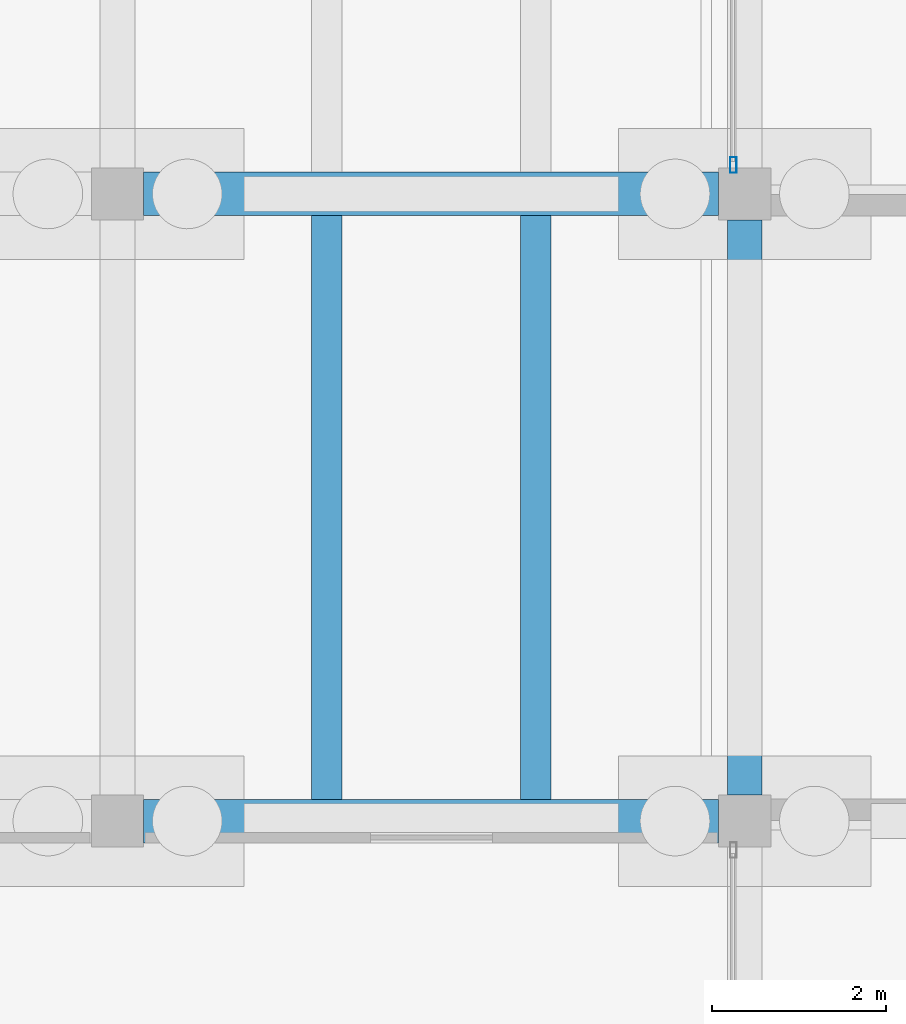
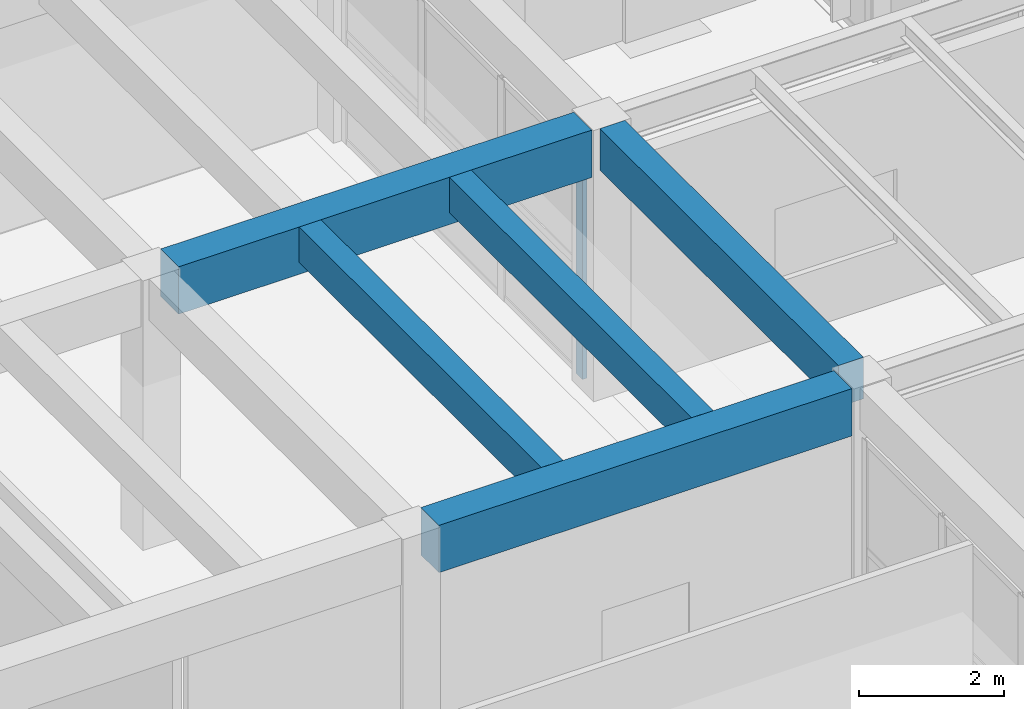
# One storey, part 47 of 155: 5 beams, 1 member, 1 element without a shape of its own.
"""IFC4 building model written with IfcOpenShell, lengths in metres."""

import ifcopenshell
import ifcopenshell.guid

model = None  # the IFC model being written
_history = None  # IfcOwnerHistory: only IFC2X3 demands one
_inside = {}  # id of a spatial element -> (the spatial element, [elements in it])
_under = {}  # id of a project, library or spatial element -> (it, [spatial elements below it])
_declared = {}  # id of a project -> (the project, [libraries it declares])
_typed = {}  # id of a type object -> (the type object, [elements of that type])
_made_of = {}  # id of a material, layer set ... -> (it, [elements and type objects made of it])


def new_model(schema):
    """Start an empty IFC model of exactly this schema.

    Asked for "IFC4X3", IfcOpenShell would pick the latest addendum, in which some entities
    have other attributes; the version numbers below select the first issue.
    IFC2X3 requires an IfcOwnerHistory on every rooted entity: one is made here for all.
    """
    global model, _history
    if schema == "IFC4X3":
        model = ifcopenshell.file(schema_version=(4, 3, 0, 0))
    else:
        model = ifcopenshell.file(schema=schema)
    _inside.clear()
    _under.clear()
    _declared.clear()
    _typed.clear()
    _made_of.clear()
    _history = None
    if model.schema == "IFC2X3":
        org = make("IfcOrganization", Name="unknown")
        user = make(
            "IfcPersonAndOrganization",
            ThePerson=make("IfcPerson", FamilyName="unknown"),
            TheOrganization=org,
        )
        app = make(
            "IfcApplication",
            ApplicationDeveloper=org,
            Version="unknown",
            ApplicationFullName="unknown",
            ApplicationIdentifier="unknown",
        )
        _history = make(
            "IfcOwnerHistory",
            OwningUser=user,
            OwningApplication=app,
            ChangeAction="ADDED",
            CreationDate=0,
        )
    return model


def make(cls, **values):
    """One entity of the class cls with the attributes given. An attribute that is None is left unset."""
    return model.create_entity(
        cls, **{name: value for name, value in values.items() if value is not None}
    )


def rooted(cls, **values):
    """An entity with a GlobalId (a new one), such as an element, a storey or a relation."""
    return make(cls, GlobalId=ifcopenshell.guid.new(), OwnerHistory=_history, **values)


def si_unit(unit_type, name, prefix=None):
    """IfcSIUnit, for example si_unit("LENGTHUNIT", "METRE", prefix="MILLI")."""
    return make("IfcSIUnit", UnitType=unit_type, Prefix=prefix, Name=name)


def assignment(units):
    """IfcUnitAssignment: the units of a project."""
    return None if units is None else make("IfcUnitAssignment", Units=units)


def point(xyz):
    """IfcCartesianPoint."""
    return None if xyz is None else make("IfcCartesianPoint", Coordinates=xyz)


def direction(xyz):
    """IfcDirection."""
    return None if xyz is None else make("IfcDirection", DirectionRatios=xyz)


def frame(location, z_axis=None, x_axis=None):
    """IfcAxis2Placement3D, a coordinate frame: its origin and axes. An axis left out is left unset."""
    return make(
        "IfcAxis2Placement3D",
        Location=point(location),
        Axis=direction(z_axis),
        RefDirection=direction(x_axis),
    )


def frame_2d(location, x_axis=None):
    """IfcAxis2Placement2D, a coordinate frame in the plane: its origin and x axis."""
    return make(
        "IfcAxis2Placement2D", Location=point(location), RefDirection=direction(x_axis)
    )


def origin():
    """The frame at (0, 0, 0) with its axes left unset."""
    return frame((0.0, 0.0, 0.0))


def origin_2d():
    """The frame at (0, 0) in the plane with its x axis left unset."""
    return frame_2d((0.0, 0.0))


def place(relative_to, where):
    """IfcLocalPlacement: puts the frame where relative to a parent placement (None: the world)."""
    return make(
        "IfcLocalPlacement", PlacementRelTo=relative_to, RelativePlacement=where
    )


def context(
    kind, dimensions, precision=None, world=None, true_north=None, identifier=None
):
    """IfcGeometricRepresentationContext, for example the 3D "Model" context."""
    return make(
        "IfcGeometricRepresentationContext",
        ContextIdentifier=identifier,
        ContextType=kind,
        CoordinateSpaceDimension=dimensions,
        Precision=precision,
        WorldCoordinateSystem=world,
        TrueNorth=true_north,
    )


def subcontext(parent, identifier, kind, view, scale=None):
    """IfcGeometricRepresentationSubContext, for example "Body" below "Model"."""
    return make(
        "IfcGeometricRepresentationSubContext",
        ContextIdentifier=identifier,
        ContextType=kind,
        ParentContext=parent,
        TargetScale=scale,
        TargetView=view,
    )


def project(units=None, contexts=None):
    """IfcProject with its units and contexts."""
    return rooted(
        "IfcProject",
        Name="project",
        RepresentationContexts=contexts,
        UnitsInContext=assignment(units),
    )


def spatial(cls, under=None, at=None, **own):
    """A site, building, storey or space (cls), placed at a placement, below another one or the project."""
    s = rooted(cls, ObjectPlacement=at, **own)
    if under is not None:
        _under.setdefault(under.id(), (under, []))[1].append(s)
    return s


def profile(cls, at=None, kind="AREA", **sizes):
    """A parametric profile (cls). Its sizes go by their IFC names, for example OverallWidth=200.0."""
    return make(cls, ProfileType=kind, Position=at, **sizes)


def rectangle(**sizes):
    """IfcRectangleProfileDef."""
    return profile("IfcRectangleProfileDef", **sizes)


def hollow_rectangle(**sizes):
    """IfcRectangleHollowProfileDef."""
    return profile("IfcRectangleHollowProfileDef", **sizes)


def extrude(swept, where, along, depth):
    """IfcExtrudedAreaSolid: the profile swept, set in the frame where, extruded along a direction by depth."""
    return make(
        "IfcExtrudedAreaSolid",
        SweptArea=swept,
        Position=where,
        ExtrudedDirection=direction(along),
        Depth=depth,
    )


def shape(context_of_items, identifier, shape_type, items):
    """IfcShapeRepresentation: the items that make up one representation, for example the "Body"."""
    return make(
        "IfcShapeRepresentation",
        ContextOfItems=context_of_items,
        RepresentationIdentifier=identifier,
        RepresentationType=shape_type,
        Items=items,
    )


def material(Name=None, Category=None):
    """IfcMaterial."""
    return make("IfcMaterial", Name=Name, Category=Category)


def material_profile(
    of_material, cross_section, Name=None, Category=None, Priority=None
):
    """IfcMaterialProfile: a cross section and its material."""
    return make(
        "IfcMaterialProfile",
        Name=Name,
        Material=of_material,
        Profile=cross_section,
        Priority=Priority,
        Category=Category,
    )


def profile_set(profiles, Name=None, composite=None):
    """IfcMaterialProfileSet."""
    return make(
        "IfcMaterialProfileSet",
        Name=Name,
        MaterialProfiles=profiles,
        CompositeProfile=composite,
    )


def made_of(thing, what):
    """Note that an element or type object is made of a material, layer set ...; save() writes the relation."""
    if what is not None:
        _made_of.setdefault(what.id(), (what, []))[1].append(thing)
    return thing


def type_object(cls, material=None, **own):
    """A type object (cls), such as IfcWallType, which elements share."""
    return made_of(rooted(cls, **own), material)


def element(
    cls,
    number,
    at=None,
    inside=None,
    cuts=None,
    type_object=None,
    material=None,
    context=None,
    identifier="Body",
    shape_type=None,
    held_by="IfcProductDefinitionShape",
    body=None,
    shapes=None,
    **own,
):
    """One element of the class cls, such as IfcWall. Its Tag is "e" and its number.

    at: its placement. inside: the storey or other place that contains it. cuts: it is an
    opening in that element (IfcRelVoidsElement). A single representation is given by context,
    identifier, shape_type and body (its items); several are given by shapes. held_by: the class
    of the entity that holds the representations. save() writes the other relations.
    """
    e = rooted(cls, Tag="e%d" % number, ObjectPlacement=at, **own)
    if body is not None:
        shapes = [shape(context, identifier, shape_type, body)]
    if shapes is not None:
        e.Representation = make(held_by, Representations=shapes)
    if inside is not None:
        _inside.setdefault(inside.id(), (inside, []))[1].append(e)
    if cuts is not None:
        rooted(
            "IfcRelVoidsElement", RelatingBuildingElement=cuts, RelatedOpeningElement=e
        )
    if type_object is not None:
        _typed.setdefault(type_object.id(), (type_object, []))[1].append(e)
    return made_of(e, material)


def aggregate(whole, parts):
    """IfcRelAggregates: a whole, such as a stair, and the parts it consists of."""
    return rooted("IfcRelAggregates", RelatingObject=whole, RelatedObjects=parts)


def save(model, path):
    """Write the relations noted so far, then the file.

    IfcRelAggregates (storeys below a building ...), IfcRelContainedInSpatialStructure (elements
    in a storey), IfcRelDefinesByType, IfcRelAssociatesMaterial and IfcRelDeclares: one each for
    every whole, place, type object, material and project.
    """
    for whole, parts in _under.values():
        aggregate(whole, parts)
    for where, things in _inside.values():
        rooted(
            "IfcRelContainedInSpatialStructure",
            RelatedElements=things,
            RelatingStructure=where,
        )
    for kind, things in _typed.values():
        rooted("IfcRelDefinesByType", RelatedObjects=things, RelatingType=kind)
    for what, things in _made_of.values():
        rooted("IfcRelAssociatesMaterial", RelatedObjects=things, RelatingMaterial=what)
    for by, libraries in _declared.values():
        rooted("IfcRelDeclares", RelatingContext=by, RelatedDefinitions=libraries)
    model.write(path)


model = new_model("IFC4")

# Units and contexts
model_context = context("Model", 3, precision=1e-05, world=origin(), true_north=direction((0.0, 1.0)))
body_context = subcontext(model_context, "Body", "Model", "MODEL_VIEW")
ifc_project = project(units=[si_unit("LENGTHUNIT", "METRE"), si_unit("AREAUNIT", "SQUARE_METRE"), si_unit("VOLUMEUNIT", "CUBIC_METRE"), si_unit("PLANEANGLEUNIT", "RADIAN"), si_unit("MASSUNIT", "GRAM", prefix="KILO")], contexts=[model_context])

# Site, building, storey
site_placement = place(None, origin())
site = spatial("IfcSite", under=ifc_project, at=site_placement, CompositionType="ELEMENT")
building_placement = place(site_placement, origin())
building = spatial("IfcBuilding", under=site, at=building_placement, Name="Bramvelor Terrace Health Centre", CompositionType="ELEMENT")
storey_placement = place(building_placement, origin())
storey = spatial("IfcBuildingStorey", under=building, at=storey_placement, Name="L01", CompositionType="ELEMENT", Elevation=0.0)

# Beams
ifc_material_1 = material(Name="Concrete C40/50", Category="concrete")
ifc_material_profile_1 = material_profile(ifc_material_1, rectangle(XDim=0.39990234375, YDim=0.699951171875, at=origin_2d()), Name="RC 400x700")
ifc_profile_set_1 = profile_set([ifc_material_profile_1], Name="Concrete C40/50")
beam_type_1 = type_object("IfcBeamType", Name="BM-RC-G700", PredefinedType="BEAM", material=ifc_profile_set_1)
beam_placement = place(storey_placement, frame((93.60009765625, 50.699951171875, 4.22998046875), z_axis=(0.0, 1.0, 0.0), x_axis=(-1.0, 0.0, 0.0)))
element("IfcBeam", 1, at=beam_placement, inside=storey, type_object=beam_type_1, Name="L01 Floor Girder", PredefinedType="BEAM", context=body_context, shape_type="SweptSolid", body=[
    extrude(rectangle(XDim=0.39990234375, YDim=0.699951171875, at=origin_2d()), origin(), (0.0, 0.0, 1.0), 6.60009765625),
])
ifc_material_2 = material(Name="Concrete C40/50", Category="concrete")
ifc_material_profile_2 = material_profile(ifc_material_2, rectangle(XDim=0.5, YDim=0.800048828125, at=origin_2d()), Name="RC 500x800")
ifc_profile_set_2 = profile_set([ifc_material_profile_2], Name="Concrete C40/50")
beam_type_2 = type_object("IfcBeamType", Name="BM-RC-G800", PredefinedType="BEAM", material=ifc_profile_set_2)
for number, where, z_axis, x_axis, name in (
    (2, (86.699951171875, 50.39990234375, 4.159912109375), (1.0, 0.0, 0.0), (0.0, 1.0, 0.0), "L01 Floor Girder"),
    (3, (86.699951171875, 57.60009765625, 4.159912109375), (1.0, 0.0, 0.0), (0.0, 1.0, 0.0), "L01 Floor Girder"),
):
    element("IfcBeam", number, at=place(storey_placement, frame(where, z_axis=z_axis, x_axis=x_axis)), inside=storey, type_object=beam_type_2, Name=name, PredefinedType="BEAM", context=body_context, shape_type="SweptSolid", body=[
        extrude(rectangle(XDim=0.5, YDim=0.800048828125, at=origin_2d()), origin(), (0.0, 0.0, 1.0), 6.60009765625),
    ])
ifc_material_3 = material(Name="Concrete C40/50", Category="concrete")
ifc_material_profile_3 = material_profile(ifc_material_3, rectangle(XDim=0.35009765625, YDim=0.60009765625, at=origin_2d()), Name="RC 350x600")
ifc_profile_set_3 = profile_set([ifc_material_profile_3], Name="Concrete C40/50")
beam_type_3 = type_object("IfcBeamType", Name="BM-RC-J600", PredefinedType="JOIST", material=ifc_profile_set_3)
for number, where, z_axis, x_axis, name in (
    (4, (88.800048828125, 50.64990234375, 4.260009765625), (0.0, 1.0, 0.0), (-1.0, 0.0, 0.0), "L01 Secondary Floor Joist"),
    (5, (91.199951171875, 50.64990234375, 4.260009765625), (0.0, 1.0, 0.0), (-1.0, 0.0, 0.0), "L01 Secondary Floor Joist"),
):
    element("IfcBeam", number, at=place(storey_placement, frame(where, z_axis=z_axis, x_axis=x_axis)), inside=storey, type_object=beam_type_3, Name=name, PredefinedType="JOIST", context=body_context, shape_type="SweptSolid", body=[
        extrude(rectangle(XDim=0.35009765625, YDim=0.60009765625, at=origin_2d()), origin(), (0.0, 0.0, 1.0), 6.7001953125),
    ])

# Curtain wall, member
ifc_material_4 = material(Name="Anodized aluminium and double low-E glass", Category="aluminium")
curtain_wall_type = type_object("IfcCurtainWallType", Name="CW-SYS-02", PredefinedType="NOTDEFINED", material=ifc_material_4)
curtain_wall_placement = place(storey_placement, origin())
curtain_wall = element("IfcCurtainWall", 6, at=curtain_wall_placement, inside=storey, type_object=curtain_wall_type, Name="L01 Unitized Curtain Wall 35", PredefinedType="NOTDEFINED")
ifc_material_5 = material(Name="Anodized aluminium 6063-T6", Category="aluminium")
ifc_material_profile_4 = material_profile(ifc_material_5, hollow_rectangle(XDim=0.074951171875, YDim=0.179931640625, WallThickness=0.00341796875, at=origin_2d()), Name="ALU-MUL 75x180x3.5")
ifc_profile_set_4 = profile_set([ifc_material_profile_4], Name="Anodized aluminium 6063-T6")
member_type = type_object("IfcMemberType", Name="CW-MUL-65x180", PredefinedType="MULLION", material=ifc_profile_set_4)
member_placement = place(storey_placement, frame((93.469970703125, 57.9326171875, 0.0), z_axis=(0.0, 0.0, 1.0), x_axis=(1.0, 0.0, 0.0)))
member = element("IfcMember", 7, at=member_placement, type_object=member_type, Name="CW-02 mullion 4", PredefinedType="MULLION", context=body_context, shape_type="SweptSolid", body=[
    extrude(hollow_rectangle(XDim=0.074951171875, YDim=0.179931640625, WallThickness=0.00341796875, at=origin_2d()), origin(), (0.0, 0.0, 1.0), 3.719970703125),
])
aggregate(curtain_wall, [member])

save(model, "model.ifc")
